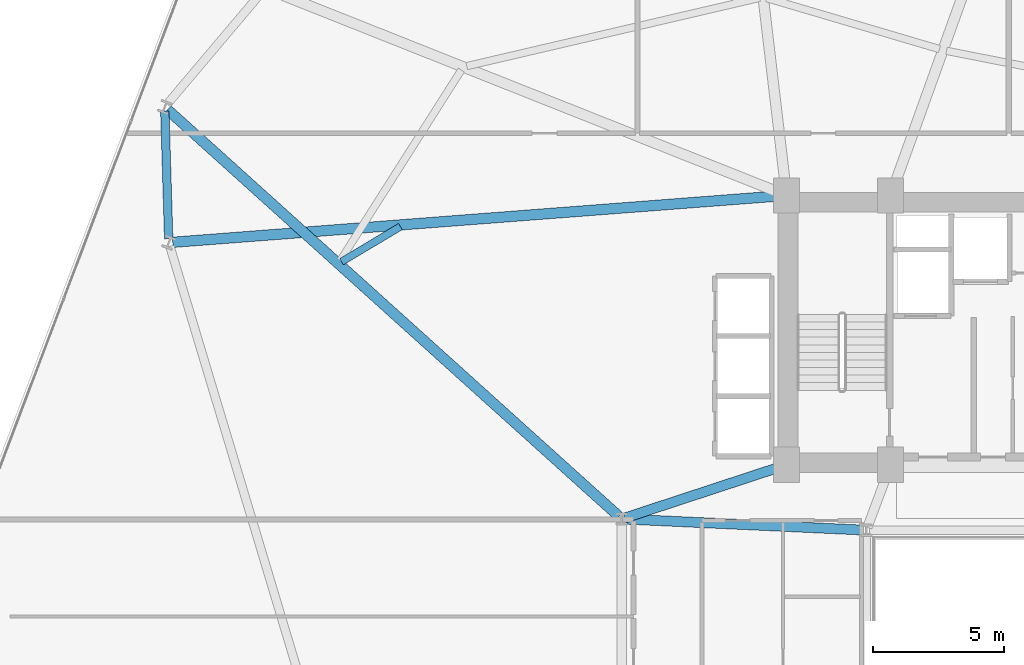
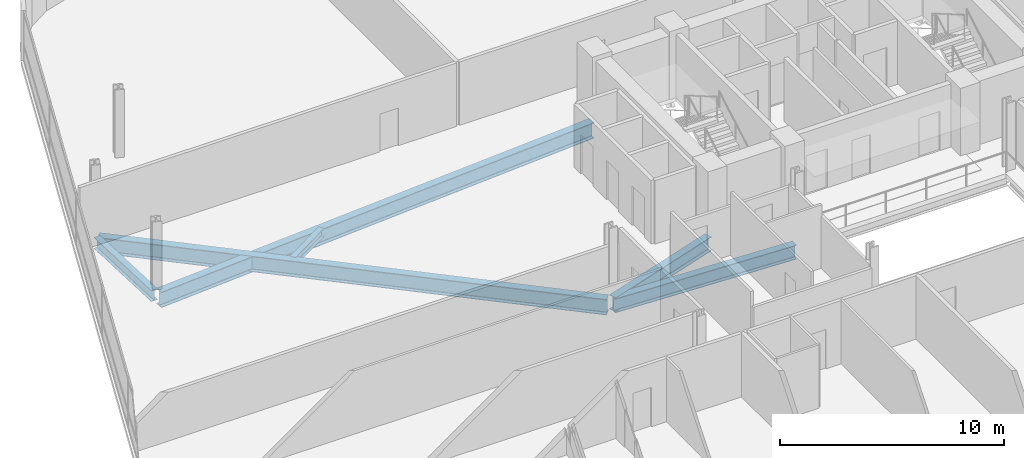
# One storey, part 7 of 25: 6 beams.
"""IFC4 building model written with IfcOpenShell, lengths in metres."""

import ifcopenshell
import ifcopenshell.guid

model = None  # the IFC model being written
_history = None  # IfcOwnerHistory: only IFC2X3 demands one
_inside = {}  # id of a spatial element -> (the spatial element, [elements in it])
_under = {}  # id of a project, library or spatial element -> (it, [spatial elements below it])
_declared = {}  # id of a project -> (the project, [libraries it declares])
_typed = {}  # id of a type object -> (the type object, [elements of that type])
_made_of = {}  # id of a material, layer set ... -> (it, [elements and type objects made of it])


def new_model(schema):
    """Start an empty IFC model of exactly this schema.

    Asked for "IFC4X3", IfcOpenShell would pick the latest addendum, in which some entities
    have other attributes; the version numbers below select the first issue.
    IFC2X3 requires an IfcOwnerHistory on every rooted entity: one is made here for all.
    """
    global model, _history
    if schema == "IFC4X3":
        model = ifcopenshell.file(schema_version=(4, 3, 0, 0))
    else:
        model = ifcopenshell.file(schema=schema)
    _inside.clear()
    _under.clear()
    _declared.clear()
    _typed.clear()
    _made_of.clear()
    _history = None
    if model.schema == "IFC2X3":
        org = make("IfcOrganization", Name="unknown")
        user = make(
            "IfcPersonAndOrganization",
            ThePerson=make("IfcPerson", FamilyName="unknown"),
            TheOrganization=org,
        )
        app = make(
            "IfcApplication",
            ApplicationDeveloper=org,
            Version="unknown",
            ApplicationFullName="unknown",
            ApplicationIdentifier="unknown",
        )
        _history = make(
            "IfcOwnerHistory",
            OwningUser=user,
            OwningApplication=app,
            ChangeAction="ADDED",
            CreationDate=0,
        )
    return model


def make(cls, **values):
    """One entity of the class cls with the attributes given. An attribute that is None is left unset."""
    return model.create_entity(
        cls, **{name: value for name, value in values.items() if value is not None}
    )


def rooted(cls, **values):
    """An entity with a GlobalId (a new one), such as an element, a storey or a relation."""
    return make(cls, GlobalId=ifcopenshell.guid.new(), OwnerHistory=_history, **values)


def si_unit(unit_type, name, prefix=None):
    """IfcSIUnit, for example si_unit("LENGTHUNIT", "METRE", prefix="MILLI")."""
    return make("IfcSIUnit", UnitType=unit_type, Prefix=prefix, Name=name)


def assignment(units):
    """IfcUnitAssignment: the units of a project."""
    return None if units is None else make("IfcUnitAssignment", Units=units)


def point(xyz):
    """IfcCartesianPoint."""
    return None if xyz is None else make("IfcCartesianPoint", Coordinates=xyz)


def direction(xyz):
    """IfcDirection."""
    return None if xyz is None else make("IfcDirection", DirectionRatios=xyz)


def frame(location, z_axis=None, x_axis=None):
    """IfcAxis2Placement3D, a coordinate frame: its origin and axes. An axis left out is left unset."""
    return make(
        "IfcAxis2Placement3D",
        Location=point(location),
        Axis=direction(z_axis),
        RefDirection=direction(x_axis),
    )


def frame_2d(location, x_axis=None):
    """IfcAxis2Placement2D, a coordinate frame in the plane: its origin and x axis."""
    return make(
        "IfcAxis2Placement2D", Location=point(location), RefDirection=direction(x_axis)
    )


def origin():
    """The frame at (0, 0, 0) with its axes left unset."""
    return frame((0.0, 0.0, 0.0))


def origin_2d():
    """The frame at (0, 0) in the plane with its x axis left unset."""
    return frame_2d((0.0, 0.0))


def place(relative_to, where):
    """IfcLocalPlacement: puts the frame where relative to a parent placement (None: the world)."""
    return make(
        "IfcLocalPlacement", PlacementRelTo=relative_to, RelativePlacement=where
    )


def context(
    kind, dimensions, precision=None, world=None, true_north=None, identifier=None
):
    """IfcGeometricRepresentationContext, for example the 3D "Model" context."""
    return make(
        "IfcGeometricRepresentationContext",
        ContextIdentifier=identifier,
        ContextType=kind,
        CoordinateSpaceDimension=dimensions,
        Precision=precision,
        WorldCoordinateSystem=world,
        TrueNorth=true_north,
    )


def subcontext(parent, identifier, kind, view, scale=None):
    """IfcGeometricRepresentationSubContext, for example "Body" below "Model"."""
    return make(
        "IfcGeometricRepresentationSubContext",
        ContextIdentifier=identifier,
        ContextType=kind,
        ParentContext=parent,
        TargetScale=scale,
        TargetView=view,
    )


def project(units=None, contexts=None):
    """IfcProject with its units and contexts."""
    return rooted(
        "IfcProject",
        Name="project",
        RepresentationContexts=contexts,
        UnitsInContext=assignment(units),
    )


def spatial(cls, under=None, at=None, **own):
    """A site, building, storey or space (cls), placed at a placement, below another one or the project."""
    s = rooted(cls, ObjectPlacement=at, **own)
    if under is not None:
        _under.setdefault(under.id(), (under, []))[1].append(s)
    return s


def profile(cls, at=None, kind="AREA", **sizes):
    """A parametric profile (cls). Its sizes go by their IFC names, for example OverallWidth=200.0."""
    return make(cls, ProfileType=kind, Position=at, **sizes)


def i_section(**sizes):
    """IfcIShapeProfileDef."""
    return profile("IfcIShapeProfileDef", **sizes)


def extrude(swept, where, along, depth):
    """IfcExtrudedAreaSolid: the profile swept, set in the frame where, extruded along a direction by depth."""
    return make(
        "IfcExtrudedAreaSolid",
        SweptArea=swept,
        Position=where,
        ExtrudedDirection=direction(along),
        Depth=depth,
    )


def shape(context_of_items, identifier, shape_type, items):
    """IfcShapeRepresentation: the items that make up one representation, for example the "Body"."""
    return make(
        "IfcShapeRepresentation",
        ContextOfItems=context_of_items,
        RepresentationIdentifier=identifier,
        RepresentationType=shape_type,
        Items=items,
    )


def material(Name=None, Category=None):
    """IfcMaterial."""
    return make("IfcMaterial", Name=Name, Category=Category)


def material_profile(
    of_material, cross_section, Name=None, Category=None, Priority=None
):
    """IfcMaterialProfile: a cross section and its material."""
    return make(
        "IfcMaterialProfile",
        Name=Name,
        Material=of_material,
        Profile=cross_section,
        Priority=Priority,
        Category=Category,
    )


def profile_set(profiles, Name=None, composite=None):
    """IfcMaterialProfileSet."""
    return make(
        "IfcMaterialProfileSet",
        Name=Name,
        MaterialProfiles=profiles,
        CompositeProfile=composite,
    )


def made_of(thing, what):
    """Note that an element or type object is made of a material, layer set ...; save() writes the relation."""
    if what is not None:
        _made_of.setdefault(what.id(), (what, []))[1].append(thing)
    return thing


def type_object(cls, material=None, **own):
    """A type object (cls), such as IfcWallType, which elements share."""
    return made_of(rooted(cls, **own), material)


def element(
    cls,
    number,
    at=None,
    inside=None,
    cuts=None,
    type_object=None,
    material=None,
    context=None,
    identifier="Body",
    shape_type=None,
    held_by="IfcProductDefinitionShape",
    body=None,
    shapes=None,
    **own,
):
    """One element of the class cls, such as IfcWall. Its Tag is "e" and its number.

    at: its placement. inside: the storey or other place that contains it. cuts: it is an
    opening in that element (IfcRelVoidsElement). A single representation is given by context,
    identifier, shape_type and body (its items); several are given by shapes. held_by: the class
    of the entity that holds the representations. save() writes the other relations.
    """
    e = rooted(cls, Tag="e%d" % number, ObjectPlacement=at, **own)
    if body is not None:
        shapes = [shape(context, identifier, shape_type, body)]
    if shapes is not None:
        e.Representation = make(held_by, Representations=shapes)
    if inside is not None:
        _inside.setdefault(inside.id(), (inside, []))[1].append(e)
    if cuts is not None:
        rooted(
            "IfcRelVoidsElement", RelatingBuildingElement=cuts, RelatedOpeningElement=e
        )
    if type_object is not None:
        _typed.setdefault(type_object.id(), (type_object, []))[1].append(e)
    return made_of(e, material)


def aggregate(whole, parts):
    """IfcRelAggregates: a whole, such as a stair, and the parts it consists of."""
    return rooted("IfcRelAggregates", RelatingObject=whole, RelatedObjects=parts)


def save(model, path):
    """Write the relations noted so far, then the file.

    IfcRelAggregates (storeys below a building ...), IfcRelContainedInSpatialStructure (elements
    in a storey), IfcRelDefinesByType, IfcRelAssociatesMaterial and IfcRelDeclares: one each for
    every whole, place, type object, material and project.
    """
    for whole, parts in _under.values():
        aggregate(whole, parts)
    for where, things in _inside.values():
        rooted(
            "IfcRelContainedInSpatialStructure",
            RelatedElements=things,
            RelatingStructure=where,
        )
    for kind, things in _typed.values():
        rooted("IfcRelDefinesByType", RelatedObjects=things, RelatingType=kind)
    for what, things in _made_of.values():
        rooted("IfcRelAssociatesMaterial", RelatedObjects=things, RelatingMaterial=what)
    for by, libraries in _declared.values():
        rooted("IfcRelDeclares", RelatingContext=by, RelatedDefinitions=libraries)
    model.write(path)


model = new_model("IFC4")

# Units and contexts
model_context = context("Model", 3, precision=1e-05, world=origin(), true_north=direction((0.0, 1.0)))
body_context = subcontext(model_context, "Body", "Model", "MODEL_VIEW")
ifc_project = project(units=[si_unit("LENGTHUNIT", "METRE"), si_unit("AREAUNIT", "SQUARE_METRE"), si_unit("VOLUMEUNIT", "CUBIC_METRE"), si_unit("PLANEANGLEUNIT", "RADIAN"), si_unit("MASSUNIT", "GRAM", prefix="KILO")], contexts=[model_context])

# Site, building, storey
site_placement = place(None, origin())
site = spatial("IfcSite", under=ifc_project, at=site_placement, CompositionType="ELEMENT")
building_placement = place(site_placement, origin())
building = spatial("IfcBuilding", under=site, at=building_placement, Name="Varnelok Gate Tower", CompositionType="ELEMENT")
storey_placement = place(building_placement, frame((0.0, 0.0, 76.199951171875)))
storey = spatial("IfcBuildingStorey", under=building, at=storey_placement, Name="L18", CompositionType="ELEMENT", Elevation=76.199951171875)

# Beams
ifc_material = material(Name="Structural Steel ASTM A992 Grade 50", Category="steel")
ifc_material_profile_1 = material_profile(ifc_material, i_section(OverallWidth=0.280029296875, OverallDepth=0.462890625, WebThickness=0.0107421875, FlangeThickness=0.017333984375, FilletRadius=0.014892578125, at=origin_2d()), Name="W18X76")
ifc_profile_set_1 = profile_set([ifc_material_profile_1], Name="Structural Steel ASTM A992 Grade 50")
beam_type_1 = type_object("IfcBeamType", Name="BM-JST-W18X76", PredefinedType="JOIST", material=ifc_profile_set_1)
beam_1_placement = place(storey_placement, frame((13.684814453125, 36.51513671875, -0.4814453125), z_axis=(0.858542699805, 0.512742072208, 0.0), x_axis=(-0.512742072208, 0.858542699805, 0.0)))
element("IfcBeam", 1, at=beam_1_placement, inside=storey, type_object=beam_type_1, Name="L18 Sector Floor Joist 13", PredefinedType="JOIST", context=body_context, shape_type="SweptSolid", body=[
    extrude(i_section(OverallWidth=0.280029296875, OverallDepth=0.462890625, WebThickness=0.0107421875, FlangeThickness=0.017333984375, FilletRadius=0.014892578125, at=origin_2d()), origin(), (0.0, 0.0, 1.0), 2.6220703125),
])
ifc_material_profile_2 = material_profile(ifc_material, i_section(OverallWidth=0.381103515625, OverallDepth=0.77294921875, WebThickness=0.0166015625, FlangeThickness=0.027099609375, FilletRadius=0.02197265625, at=origin_2d()), Name="W30X173")
ifc_profile_set_2 = profile_set([ifc_material_profile_2], Name="Structural Steel ASTM A992 Grade 50")
beam_type_2 = type_object("IfcBeamType", Name="BM-PRI-W30X173", PredefinedType="BEAM", material=ifc_profile_set_2)
beam_2_placement = place(storey_placement, frame((24.52001953125, 26.674560546875, -0.636474609375), z_axis=(0.99894427814, -0.045938319209, 0.0), x_axis=(0.045938319209, 0.99894427814, 0.0)))
element("IfcBeam", 2, at=beam_2_placement, inside=storey, type_object=beam_type_2, Name="L18 Core-Atrium Spine Beam 15", PredefinedType="BEAM", context=body_context, shape_type="SweptSolid", body=[
    extrude(i_section(OverallWidth=0.381103515625, OverallDepth=0.77294921875, WebThickness=0.0166015625, FlangeThickness=0.027099609375, FilletRadius=0.02197265625, at=origin_2d()), origin(), (0.0, 0.0, 1.0), 9.11962890625),
])
beam_3_placement = place(storey_placement, frame((24.513916015625, 26.717529296875, -0.636474609375), z_axis=(0.950041943788, 0.312122259768, 0.0), x_axis=(-0.312122259768, 0.950041943788, 0.0)))
element("IfcBeam", 3, at=beam_3_placement, inside=storey, type_object=beam_type_2, Name="L18 Core-Atrium Spine Beam 17", PredefinedType="BEAM", context=body_context, shape_type="SweptSolid", body=[
    extrude(i_section(OverallWidth=0.381103515625, OverallDepth=0.77294921875, WebThickness=0.0166015625, FlangeThickness=0.027099609375, FilletRadius=0.02197265625, at=origin_2d()), origin(), (0.0, 0.0, 1.0), 6.391357421875),
])
ifc_material_profile_3 = material_profile(ifc_material, i_section(OverallWidth=0.39892578125, OverallDepth=0.85498046875, WebThickness=0.018310546875, FlangeThickness=0.029296875, FilletRadius=0.02392578125, at=origin_2d()), Name="W33X201")
ifc_profile_set_3 = profile_set([ifc_material_profile_3], Name="Structural Steel ASTM A992 Grade 50")
beam_type_3 = type_object("IfcBeamType", Name="BM-PRI-W33X201", PredefinedType="BEAM", material=ifc_profile_set_3)
beam_4_placement = place(storey_placement, frame((24.28857421875, 26.780517578125, -0.677490234375), z_axis=(-0.742906696972, 0.669394980258, 0.0), x_axis=(-0.669394980258, -0.742906696972, 0.0)))
element("IfcBeam", 4, at=beam_4_placement, inside=storey, type_object=beam_type_3, Name="L18 Radial Floor Girder 15", PredefinedType="BEAM", context=body_context, shape_type="SweptSolid", body=[
    extrude(i_section(OverallWidth=0.39892578125, OverallDepth=0.85498046875, WebThickness=0.018310546875, FlangeThickness=0.029296875, FilletRadius=0.02392578125, at=origin_2d()), origin(), (0.0, 0.0, 1.0), 23.224609375),
])
beam_5_placement = place(storey_placement, frame((30.55029296875, 39.03857421875, -0.677490234375), z_axis=(-0.997095422745, -0.076162444427, 0.0), x_axis=(0.076162444427, -0.997095422745, 0.0)))
element("IfcBeam", 5, at=beam_5_placement, inside=storey, type_object=beam_type_3, Name="L18 Radial Floor Girder 16", PredefinedType="BEAM", context=body_context, shape_type="SweptSolid", body=[
    extrude(i_section(OverallWidth=0.39892578125, OverallDepth=0.85498046875, WebThickness=0.018310546875, FlangeThickness=0.029296875, FilletRadius=0.02392578125, at=origin_2d()), origin(), (0.0, 0.0, 1.0), 23.387451171875),
])
ifc_material_profile_4 = material_profile(ifc_material, i_section(OverallWidth=0.323974609375, OverallDepth=0.611083984375, WebThickness=0.0126953125, FlangeThickness=0.01904296875, FilletRadius=0.01806640625, at=origin_2d()), Name="W24X104")
ifc_profile_set_4 = profile_set([ifc_material_profile_4], Name="Structural Steel ASTM A992 Grade 50")
beam_type_4 = type_object("IfcBeamType", Name="BM-SPN-W24X104", PredefinedType="SPANDREL", material=ifc_profile_set_4)
beam_6_placement = place(storey_placement, frame((6.927978515625, 42.277587890625, -0.555419921875), z_axis=(0.030393553869, -0.999538009224, 0.0), x_axis=(0.999538009224, 0.030393553869, 0.0)))
element("IfcBeam", 6, at=beam_6_placement, inside=storey, type_object=beam_type_4, Name="L18 Perimeter Spandrel Beam 15", PredefinedType="SPANDREL", context=body_context, shape_type="SweptSolid", body=[
    extrude(i_section(OverallWidth=0.323974609375, OverallDepth=0.611083984375, WebThickness=0.0126953125, FlangeThickness=0.01904296875, FilletRadius=0.01806640625, at=origin_2d()), origin(), (0.0, 0.0, 1.0), 4.8837890625),
])

save(model, "model.ifc")
